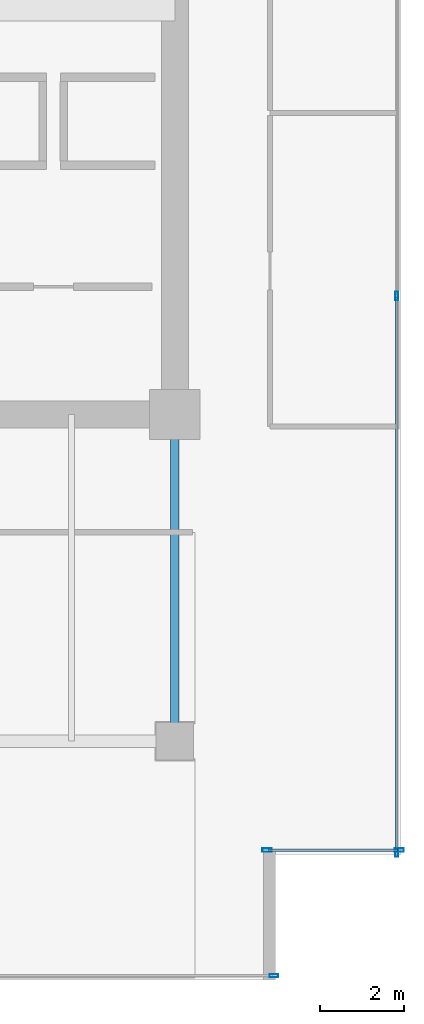
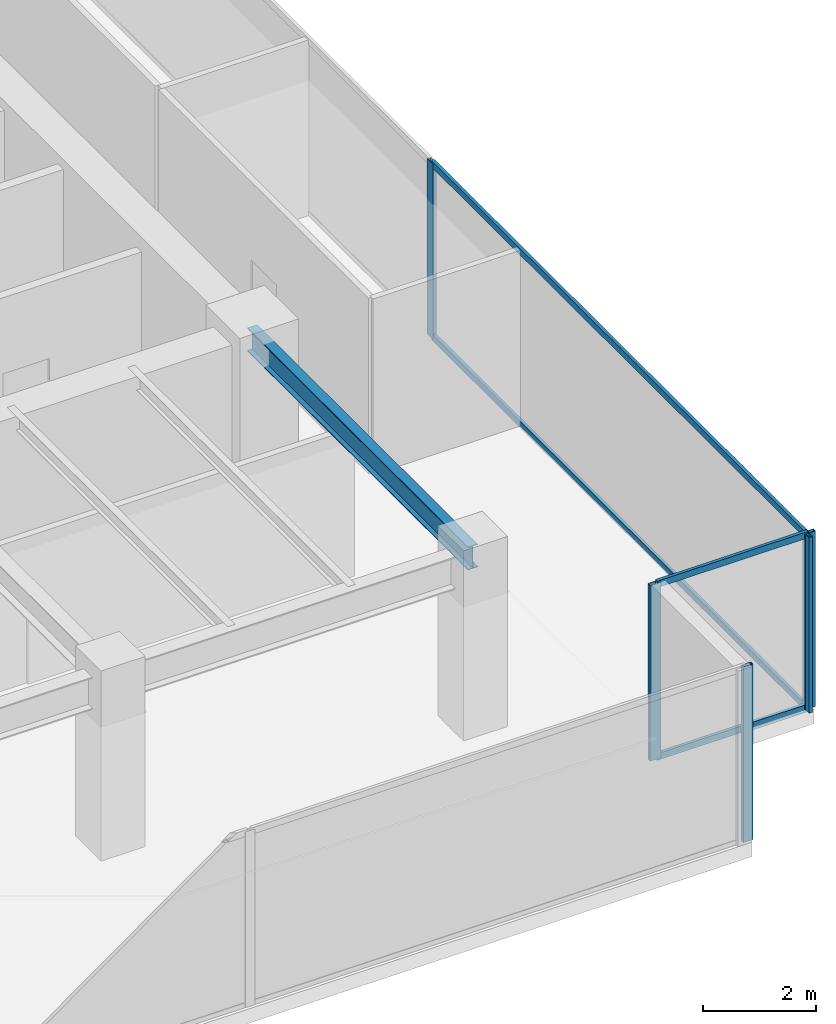
# One storey, part 21 of 34: 9 members, 1 beam, 3 elements without a shape of their own.
"""IFC4 building model written with IfcOpenShell, lengths in metres."""

import ifcopenshell
import ifcopenshell.guid

model = None  # the IFC model being written
_history = None  # IfcOwnerHistory: only IFC2X3 demands one
_inside = {}  # id of a spatial element -> (the spatial element, [elements in it])
_under = {}  # id of a project, library or spatial element -> (it, [spatial elements below it])
_declared = {}  # id of a project -> (the project, [libraries it declares])
_typed = {}  # id of a type object -> (the type object, [elements of that type])
_made_of = {}  # id of a material, layer set ... -> (it, [elements and type objects made of it])


def new_model(schema):
    """Start an empty IFC model of exactly this schema.

    Asked for "IFC4X3", IfcOpenShell would pick the latest addendum, in which some entities
    have other attributes; the version numbers below select the first issue.
    IFC2X3 requires an IfcOwnerHistory on every rooted entity: one is made here for all.
    """
    global model, _history
    if schema == "IFC4X3":
        model = ifcopenshell.file(schema_version=(4, 3, 0, 0))
    else:
        model = ifcopenshell.file(schema=schema)
    _inside.clear()
    _under.clear()
    _declared.clear()
    _typed.clear()
    _made_of.clear()
    _history = None
    if model.schema == "IFC2X3":
        org = make("IfcOrganization", Name="unknown")
        user = make(
            "IfcPersonAndOrganization",
            ThePerson=make("IfcPerson", FamilyName="unknown"),
            TheOrganization=org,
        )
        app = make(
            "IfcApplication",
            ApplicationDeveloper=org,
            Version="unknown",
            ApplicationFullName="unknown",
            ApplicationIdentifier="unknown",
        )
        _history = make(
            "IfcOwnerHistory",
            OwningUser=user,
            OwningApplication=app,
            ChangeAction="ADDED",
            CreationDate=0,
        )
    return model


def make(cls, **values):
    """One entity of the class cls with the attributes given. An attribute that is None is left unset."""
    return model.create_entity(
        cls, **{name: value for name, value in values.items() if value is not None}
    )


def rooted(cls, **values):
    """An entity with a GlobalId (a new one), such as an element, a storey or a relation."""
    return make(cls, GlobalId=ifcopenshell.guid.new(), OwnerHistory=_history, **values)


def si_unit(unit_type, name, prefix=None):
    """IfcSIUnit, for example si_unit("LENGTHUNIT", "METRE", prefix="MILLI")."""
    return make("IfcSIUnit", UnitType=unit_type, Prefix=prefix, Name=name)


def assignment(units):
    """IfcUnitAssignment: the units of a project."""
    return None if units is None else make("IfcUnitAssignment", Units=units)


def point(xyz):
    """IfcCartesianPoint."""
    return None if xyz is None else make("IfcCartesianPoint", Coordinates=xyz)


def direction(xyz):
    """IfcDirection."""
    return None if xyz is None else make("IfcDirection", DirectionRatios=xyz)


def frame(location, z_axis=None, x_axis=None):
    """IfcAxis2Placement3D, a coordinate frame: its origin and axes. An axis left out is left unset."""
    return make(
        "IfcAxis2Placement3D",
        Location=point(location),
        Axis=direction(z_axis),
        RefDirection=direction(x_axis),
    )


def frame_2d(location, x_axis=None):
    """IfcAxis2Placement2D, a coordinate frame in the plane: its origin and x axis."""
    return make(
        "IfcAxis2Placement2D", Location=point(location), RefDirection=direction(x_axis)
    )


def origin():
    """The frame at (0, 0, 0) with its axes left unset."""
    return frame((0.0, 0.0, 0.0))


def origin_2d():
    """The frame at (0, 0) in the plane with its x axis left unset."""
    return frame_2d((0.0, 0.0))


def place(relative_to, where):
    """IfcLocalPlacement: puts the frame where relative to a parent placement (None: the world)."""
    return make(
        "IfcLocalPlacement", PlacementRelTo=relative_to, RelativePlacement=where
    )


def context(
    kind, dimensions, precision=None, world=None, true_north=None, identifier=None
):
    """IfcGeometricRepresentationContext, for example the 3D "Model" context."""
    return make(
        "IfcGeometricRepresentationContext",
        ContextIdentifier=identifier,
        ContextType=kind,
        CoordinateSpaceDimension=dimensions,
        Precision=precision,
        WorldCoordinateSystem=world,
        TrueNorth=true_north,
    )


def subcontext(parent, identifier, kind, view, scale=None):
    """IfcGeometricRepresentationSubContext, for example "Body" below "Model"."""
    return make(
        "IfcGeometricRepresentationSubContext",
        ContextIdentifier=identifier,
        ContextType=kind,
        ParentContext=parent,
        TargetScale=scale,
        TargetView=view,
    )


def project(units=None, contexts=None):
    """IfcProject with its units and contexts."""
    return rooted(
        "IfcProject",
        Name="project",
        RepresentationContexts=contexts,
        UnitsInContext=assignment(units),
    )


def spatial(cls, under=None, at=None, **own):
    """A site, building, storey or space (cls), placed at a placement, below another one or the project."""
    s = rooted(cls, ObjectPlacement=at, **own)
    if under is not None:
        _under.setdefault(under.id(), (under, []))[1].append(s)
    return s


def profile(cls, at=None, kind="AREA", **sizes):
    """A parametric profile (cls). Its sizes go by their IFC names, for example OverallWidth=200.0."""
    return make(cls, ProfileType=kind, Position=at, **sizes)


def hollow_rectangle(**sizes):
    """IfcRectangleHollowProfileDef."""
    return profile("IfcRectangleHollowProfileDef", **sizes)


def i_section(**sizes):
    """IfcIShapeProfileDef."""
    return profile("IfcIShapeProfileDef", **sizes)


def extrude(swept, where, along, depth):
    """IfcExtrudedAreaSolid: the profile swept, set in the frame where, extruded along a direction by depth."""
    return make(
        "IfcExtrudedAreaSolid",
        SweptArea=swept,
        Position=where,
        ExtrudedDirection=direction(along),
        Depth=depth,
    )


def shape(context_of_items, identifier, shape_type, items):
    """IfcShapeRepresentation: the items that make up one representation, for example the "Body"."""
    return make(
        "IfcShapeRepresentation",
        ContextOfItems=context_of_items,
        RepresentationIdentifier=identifier,
        RepresentationType=shape_type,
        Items=items,
    )


def source(mapping_origin, context_of_items, identifier, shape_type, items):
    """IfcRepresentationMap: a shape defined once, which mapped items show again and again."""
    return make(
        "IfcRepresentationMap",
        MappingOrigin=mapping_origin,
        MappedRepresentation=shape(context_of_items, identifier, shape_type, items),
    )


def transform(
    local_origin,
    x_axis=None,
    y_axis=None,
    z_axis=None,
    scale=None,
    scale2=None,
    scale3=None,
    uniform=True,
):
    """IfcCartesianTransformationOperator3D, or its non-uniform kind. x_axis, y_axis, z_axis: its Axis1, 2, 3."""
    if uniform:
        return make(
            "IfcCartesianTransformationOperator3D",
            Axis1=direction(x_axis),
            Axis2=direction(y_axis),
            LocalOrigin=point(local_origin),
            Scale=scale,
            Axis3=direction(z_axis),
        )
    return make(
        "IfcCartesianTransformationOperator3DnonUniform",
        Axis1=direction(x_axis),
        Axis2=direction(y_axis),
        LocalOrigin=point(local_origin),
        Scale=scale,
        Axis3=direction(z_axis),
        Scale2=scale2,
        Scale3=scale3,
    )


def mapped(mapping_source, mapping_target):
    """IfcMappedItem: shows the shape of a source again, moved by a transform."""
    return make(
        "IfcMappedItem", MappingSource=mapping_source, MappingTarget=mapping_target
    )


def material(Name=None, Category=None):
    """IfcMaterial."""
    return make("IfcMaterial", Name=Name, Category=Category)


def layer(
    of_material, thickness, ventilated=None, Name=None, Category=None, Priority=None
):
    """IfcMaterialLayer: one layer of a wall or slab, of a material (None: an air gap)."""
    return make(
        "IfcMaterialLayer",
        Material=of_material,
        LayerThickness=thickness,
        IsVentilated=ventilated,
        Name=Name,
        Category=Category,
        Priority=Priority,
    )


def layer_set(layers, Name=None):
    """IfcMaterialLayerSet."""
    return make("IfcMaterialLayerSet", MaterialLayers=layers, LayerSetName=Name)


def material_profile(
    of_material, cross_section, Name=None, Category=None, Priority=None
):
    """IfcMaterialProfile: a cross section and its material."""
    return make(
        "IfcMaterialProfile",
        Name=Name,
        Material=of_material,
        Profile=cross_section,
        Priority=Priority,
        Category=Category,
    )


def profile_set(profiles, Name=None, composite=None):
    """IfcMaterialProfileSet."""
    return make(
        "IfcMaterialProfileSet",
        Name=Name,
        MaterialProfiles=profiles,
        CompositeProfile=composite,
    )


def made_of(thing, what):
    """Note that an element or type object is made of a material, layer set ...; save() writes the relation."""
    if what is not None:
        _made_of.setdefault(what.id(), (what, []))[1].append(thing)
    return thing


def type_object(cls, material=None, **own):
    """A type object (cls), such as IfcWallType, which elements share."""
    return made_of(rooted(cls, **own), material)


def type_shapes(of_type, sources):
    """Give a type object the sources (RepresentationMaps) that its elements show as mapped items."""
    of_type.RepresentationMaps = sources


def element(
    cls,
    number,
    at=None,
    inside=None,
    cuts=None,
    type_object=None,
    material=None,
    context=None,
    identifier="Body",
    shape_type=None,
    held_by="IfcProductDefinitionShape",
    body=None,
    shapes=None,
    **own,
):
    """One element of the class cls, such as IfcWall. Its Tag is "e" and its number.

    at: its placement. inside: the storey or other place that contains it. cuts: it is an
    opening in that element (IfcRelVoidsElement). A single representation is given by context,
    identifier, shape_type and body (its items); several are given by shapes. held_by: the class
    of the entity that holds the representations. save() writes the other relations.
    """
    e = rooted(cls, Tag="e%d" % number, ObjectPlacement=at, **own)
    if body is not None:
        shapes = [shape(context, identifier, shape_type, body)]
    if shapes is not None:
        e.Representation = make(held_by, Representations=shapes)
    if inside is not None:
        _inside.setdefault(inside.id(), (inside, []))[1].append(e)
    if cuts is not None:
        rooted(
            "IfcRelVoidsElement", RelatingBuildingElement=cuts, RelatedOpeningElement=e
        )
    if type_object is not None:
        _typed.setdefault(type_object.id(), (type_object, []))[1].append(e)
    return made_of(e, material)


def aggregate(whole, parts):
    """IfcRelAggregates: a whole, such as a stair, and the parts it consists of."""
    return rooted("IfcRelAggregates", RelatingObject=whole, RelatedObjects=parts)


def save(model, path):
    """Write the relations noted so far, then the file.

    IfcRelAggregates (storeys below a building ...), IfcRelContainedInSpatialStructure (elements
    in a storey), IfcRelDefinesByType, IfcRelAssociatesMaterial and IfcRelDeclares: one each for
    every whole, place, type object, material and project.
    """
    for whole, parts in _under.values():
        aggregate(whole, parts)
    for where, things in _inside.values():
        rooted(
            "IfcRelContainedInSpatialStructure",
            RelatedElements=things,
            RelatingStructure=where,
        )
    for kind, things in _typed.values():
        rooted("IfcRelDefinesByType", RelatedObjects=things, RelatingType=kind)
    for what, things in _made_of.values():
        rooted("IfcRelAssociatesMaterial", RelatedObjects=things, RelatingMaterial=what)
    for by, libraries in _declared.values():
        rooted("IfcRelDeclares", RelatingContext=by, RelatedDefinitions=libraries)
    model.write(path)


model = new_model("IFC4")

# Units and contexts
model_context = context("Model", 3, precision=1e-05, world=origin(), true_north=direction((0.0, 1.0)))
body_context = subcontext(model_context, "Body", "Model", "MODEL_VIEW")
ifc_project = project(units=[si_unit("LENGTHUNIT", "METRE"), si_unit("AREAUNIT", "SQUARE_METRE"), si_unit("VOLUMEUNIT", "CUBIC_METRE"), si_unit("PLANEANGLEUNIT", "RADIAN"), si_unit("MASSUNIT", "GRAM", prefix="KILO")], contexts=[model_context])

# Site, building, storey
site_placement = place(None, origin())
site = spatial("IfcSite", under=ifc_project, at=site_placement, CompositionType="ELEMENT")
building_placement = place(site_placement, origin())
building = spatial("IfcBuilding", under=site, at=building_placement, Name="Haelvirn Gate Laboratories", CompositionType="ELEMENT")
storey_placement = place(building_placement, frame((0.0, 0.0, 178.89990234375)))
storey = spatial("IfcBuildingStorey", under=building, at=storey_placement, Name="L43", CompositionType="ELEMENT", Elevation=178.89990234375)

# Beam
ifc_material_1 = material(Name="Steel SM355", Category="steel")
ifc_material_profile_1 = material_profile(ifc_material_1, i_section(OverallWidth=0.199951171875, OverallDepth=0.5, WebThickness=0.010009765625, FlangeThickness=0.01611328125, at=origin_2d()), Name="H-500x200x10x16")
ifc_profile_set_1 = profile_set([ifc_material_profile_1], Name="Steel SM355")
beam_type = type_object("IfcBeamType", Name="BM-SP-500", PredefinedType="SPANDREL", material=ifc_profile_set_1)
shared_shape_1 = source(origin(), body_context, "Body", "SweptSolid", [
    extrude(i_section(OverallWidth=0.199951171875, OverallDepth=0.5, WebThickness=0.010009765625, FlangeThickness=0.01611328125, at=origin_2d()), origin(), (0.0, 0.0, 1.0), 7.800048828125),
])
type_shapes(beam_type, [shared_shape_1])
beam_placement = place(storey_placement, frame((67.39990234375, 7.0, 3.5400390625), z_axis=(0.0, 1.0, 0.0), x_axis=(-1.0, 0.0, 0.0)))
element("IfcBeam", 1, at=beam_placement, inside=storey, type_object=beam_type, Name="L43 Perimeter Spandrel X67.4 (7.0-14.8)", PredefinedType="SPANDREL", context=body_context, shape_type="MappedRepresentation", body=[
    mapped(shared_shape_1, transform((0.0, 0.0, 0.0), scale=1.0)),
])

# Curtain wall, members
ifc_material_2 = material(Name="Anodised bronze unitised aluminium & triple low-E glass", Category="aluminium")
ifc_layer_1 = layer(ifc_material_2, 0.181884765625, Name="CW-SYS-5")
ifc_layer_set_1 = layer_set([ifc_layer_1], Name="Anodised bronze unitised aluminium & triple low-E glass")
curtain_wall_type_1 = type_object("IfcCurtainWallType", Name="CW-SYS-5", PredefinedType="NOTDEFINED", material=ifc_layer_set_1)
curtain_wall_1_placement = place(storey_placement, origin())
curtain_wall_1 = element("IfcCurtainWall", 2, at=curtain_wall_1_placement, inside=storey, type_object=curtain_wall_type_1, Name="L43 Unitised Curtain Wall CW-L43-P0-E06-1", PredefinedType="NOTDEFINED")
ifc_material_3 = material(Name="Extruded aluminium 6063-T6 (anodised bronze)", Category="aluminium")
ifc_material_profile_2 = material_profile(ifc_material_3, hollow_rectangle(XDim=0.06494140625, YDim=0.139892578125, WallThickness=0.00390625, at=origin_2d()), Name="CWT-140x65x4")
ifc_profile_set_2 = profile_set([ifc_material_profile_2], Name="Extruded aluminium 6063-T6 (anodised bronze)")
member_type_1 = type_object("IfcMemberType", Name="CWT-T140", PredefinedType="USERDEFINED", material=ifc_profile_set_2)
shared_shape_2 = source(origin(), body_context, "Body", "SweptSolid", [
    extrude(hollow_rectangle(XDim=0.06494140625, YDim=0.139892578125, WallThickness=0.00390625, at=origin_2d()), origin(), (0.0, 0.0, 1.0), 3.080078125),
])
member_1_placement = place(storey_placement, frame((69.639892578125, 4.39990234375, 0.03271484375), z_axis=(1.0, 0.0, 0.0), x_axis=(0.0, 1.0, 0.0)))
member_1 = element("IfcMember", 3, at=member_1_placement, type_object=member_type_1, Name="CW5 transom 1.1", ObjectType="TRANSOM", PredefinedType="USERDEFINED", context=body_context, shape_type="MappedRepresentation", body=[
    mapped(shared_shape_2, transform((0.0, 0.0, 0.0), scale=1.0)),
])
member_2_placement = place(storey_placement, frame((69.639892578125, 4.39990234375, 3.757568359375), z_axis=(1.0, 0.0, 0.0), x_axis=(0.0, 1.0, 0.0)))
member_2 = element("IfcMember", 4, at=member_2_placement, type_object=member_type_1, Name="CW5 transom 1.2", ObjectType="TRANSOM", PredefinedType="USERDEFINED", context=body_context, shape_type="MappedRepresentation", body=[
    mapped(shared_shape_2, transform((0.0, 0.0, 0.0), scale=1.0)),
])

ifc_layer_2 = layer(ifc_material_2, 0.179931640625, Name="CW-SYS-3")
ifc_layer_set_2 = layer_set([ifc_layer_2], Name="Anodised bronze unitised aluminium & triple low-E glass")
curtain_wall_type_2 = type_object("IfcCurtainWallType", Name="CW-SYS-3", PredefinedType="NOTDEFINED", material=ifc_layer_set_2)
curtain_wall_2_placement = place(storey_placement, origin())
curtain_wall_2 = element("IfcCurtainWall", 5, at=curtain_wall_2_placement, inside=storey, type_object=curtain_wall_type_2, Name="L43 Unitised Curtain Wall CW-L43-P0-E07", PredefinedType="NOTDEFINED")
shared_shape_3 = source(origin(), body_context, "Body", "SweptSolid", [
    extrude(hollow_rectangle(XDim=0.06494140625, YDim=0.139892578125, WallThickness=0.00390625, at=origin_2d()), origin(), (0.0, 0.0, 1.0), 13.220947265625),
])
type_shapes(member_type_1, [shared_shape_2, shared_shape_3])
member_3_placement = place(storey_placement, frame((72.699951171875, 4.375, 0.03271484375), z_axis=(0.0, 1.0, 0.0), x_axis=(-1.0, 0.0, 0.0)))
member_3 = element("IfcMember", 6, at=member_3_placement, type_object=member_type_1, Name="CW3 transom 1.1", ObjectType="TRANSOM", PredefinedType="USERDEFINED", context=body_context, shape_type="MappedRepresentation", body=[
    mapped(shared_shape_3, transform((0.0, 0.0, 0.0), scale=1.0)),
])
member_4_placement = place(storey_placement, frame((72.699951171875, 4.375, 3.757568359375), z_axis=(0.0, 1.0, 0.0), x_axis=(-1.0, 0.0, 0.0)))
member_4 = element("IfcMember", 7, at=member_4_placement, type_object=member_type_1, Name="CW3 transom 1.2", ObjectType="TRANSOM", PredefinedType="USERDEFINED", context=body_context, shape_type="MappedRepresentation", body=[
    mapped(shared_shape_3, transform((0.0, 0.0, 0.0), scale=1.0)),
])

# Curtain wall, member
curtain_wall_3_placement = place(storey_placement, origin())
curtain_wall_3 = element("IfcCurtainWall", 8, at=curtain_wall_3_placement, inside=storey, type_object=curtain_wall_type_2, Name="L43 Unitised Curtain Wall CW-L43-P0-E04-1", PredefinedType="NOTDEFINED")
ifc_material_profile_3 = material_profile(ifc_material_3, hollow_rectangle(XDim=0.074951171875, YDim=0.199951171875, WallThickness=0.0048828125, at=origin_2d()), Name="CWM-200x75x5")
ifc_profile_set_3 = profile_set([ifc_material_profile_3], Name="Extruded aluminium 6063-T6 (anodised bronze)")
member_type_2 = type_object("IfcMemberType", Name="CWM-T200", PredefinedType="MULLION", material=ifc_profile_set_3)
shared_shape_4 = source(origin(), body_context, "Body", "SweptSolid", [
    extrude(hollow_rectangle(XDim=0.074951171875, YDim=0.199951171875, WallThickness=0.0048828125, at=origin_2d()), origin(), (0.0, 0.0, 1.0), 3.7900390625),
])
type_shapes(member_type_2, [shared_shape_4])
member_5_placement = place(storey_placement, frame((69.762451171875, 1.39990234375, 0.0), z_axis=(0.0, 0.0, 1.0), x_axis=(0.0, 1.0, 0.0)))
member_5 = element("IfcMember", 9, at=member_5_placement, type_object=member_type_2, Name="CW3 mullion 3", PredefinedType="MULLION", context=body_context, shape_type="MappedRepresentation", body=[
    mapped(shared_shape_4, transform((0.0, 0.0, 0.0), scale=1.0)),
])
aggregate(curtain_wall_3, [member_5])

# Member
member_6_placement = place(storey_placement, frame((72.699951171875, 4.33740234375, 0.0), z_axis=(0.0, 0.0, 1.0), x_axis=(-1.0, 0.0, 0.0)))
member_6 = element("IfcMember", 10, at=member_6_placement, type_object=member_type_2, Name="CW3 mullion 1", PredefinedType="MULLION", context=body_context, shape_type="MappedRepresentation", body=[
    mapped(shared_shape_4, transform((0.0, 0.0, 0.0), scale=1.0)),
])

member_7_placement = place(storey_placement, frame((72.699951171875, 17.63330078125, 0.0), z_axis=(0.0, 0.0, 1.0), x_axis=(-1.0, 0.0, 0.0)))
member_7 = element("IfcMember", 11, at=member_7_placement, type_object=member_type_2, Name="CW3 mullion 2", PredefinedType="MULLION", context=body_context, shape_type="MappedRepresentation", body=[
    mapped(shared_shape_4, transform((0.0, 0.0, 0.0), scale=1.0)),
])

aggregate(curtain_wall_2, [member_6, member_7, member_3, member_4])

ifc_material_profile_4 = material_profile(ifc_material_3, hollow_rectangle(XDim=0.080078125, YDim=0.219970703125, WallThickness=0.006103515625, at=origin_2d()), Name="CWM-220x80x6")
ifc_profile_set_4 = profile_set([ifc_material_profile_4], Name="Extruded aluminium 6063-T6 (anodised bronze)")
member_type_3 = type_object("IfcMemberType", Name="CWM-T220", PredefinedType="MULLION", material=ifc_profile_set_4)
shared_shape_5 = source(origin(), body_context, "Body", "SweptSolid", [
    extrude(hollow_rectangle(XDim=0.080078125, YDim=0.219970703125, WallThickness=0.006103515625, at=origin_2d()), origin(), (0.0, 0.0, 1.0), 3.7900390625),
])
type_shapes(member_type_3, [shared_shape_5])
member_8_placement = place(storey_placement, frame((69.60009765625, 4.39990234375, 0.0), z_axis=(0.0, 0.0, 1.0), x_axis=(0.0, 1.0, 0.0)))
member_8 = element("IfcMember", 12, at=member_8_placement, type_object=member_type_3, Name="CW5 mullion 1", PredefinedType="MULLION", context=body_context, shape_type="MappedRepresentation", body=[
    mapped(shared_shape_5, transform((0.0, 0.0, 0.0), scale=1.0)),
])

member_9_placement = place(storey_placement, frame((72.760009765625, 4.39990234375, 0.0), z_axis=(0.0, 0.0, 1.0), x_axis=(0.0, 1.0, 0.0)))
member_9 = element("IfcMember", 13, at=member_9_placement, type_object=member_type_3, Name="CW5 mullion 2", PredefinedType="MULLION", context=body_context, shape_type="MappedRepresentation", body=[
    mapped(shared_shape_5, transform((0.0, 0.0, 0.0), scale=1.0)),
])

aggregate(curtain_wall_1, [member_8, member_9, member_1, member_2])

save(model, "model.ifc")
